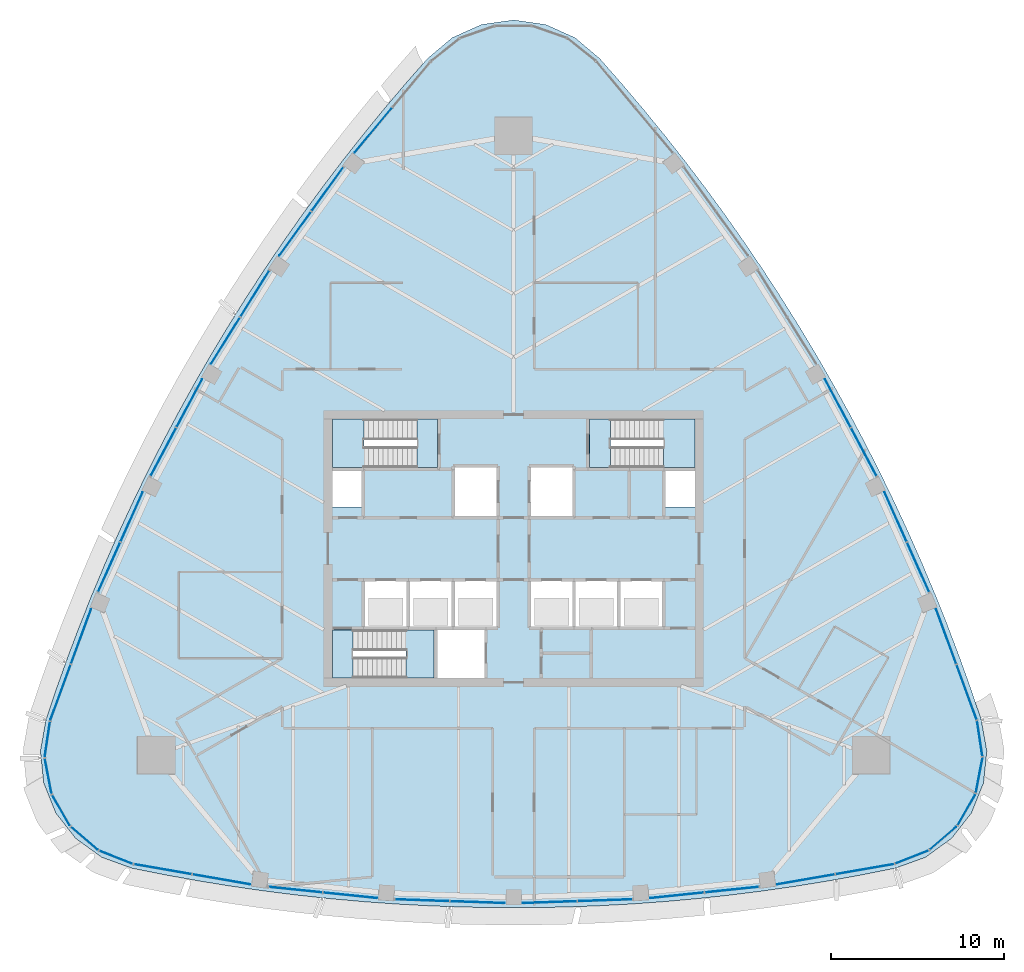
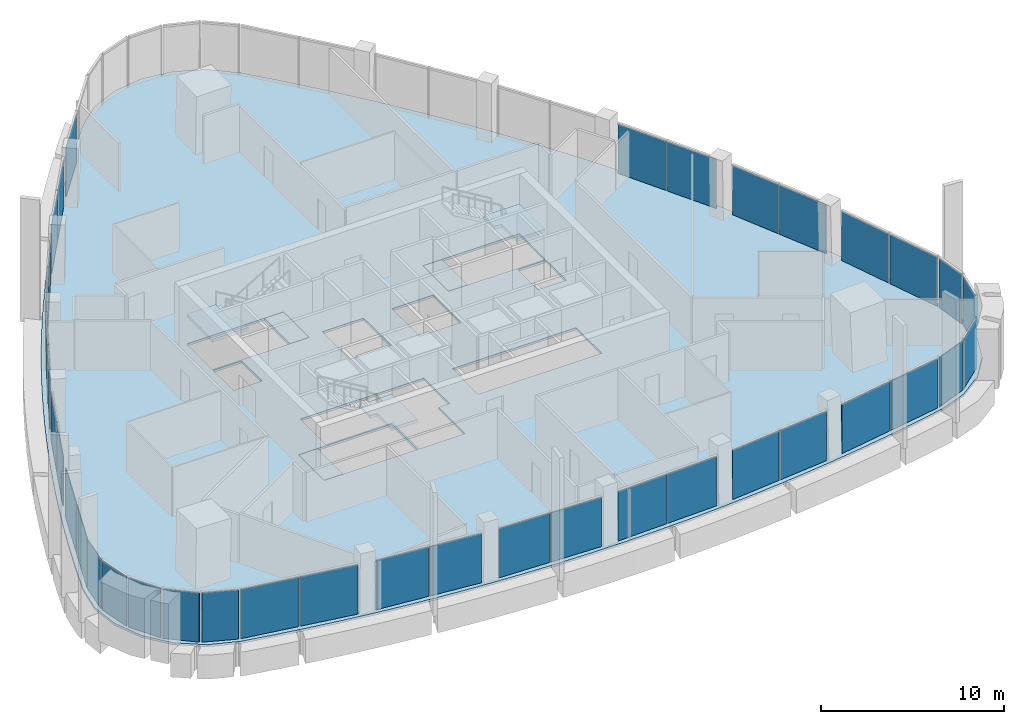
# One storey, part 7 of 18: 39 plates, 7 slabs, 28 elements without a shape of their own.
"""IFC4 building model written with IfcOpenShell, lengths in metres."""

from ifc_helpers import new_model, si_unit, direction, frame, origin, origin_2d, place, context, subcontext, project, spatial, polyline, rectangle, outline, extrude, material, layer, layer_set, type_object, element, aggregate, save


model = new_model("IFC4")

# Units and contexts
model_context = context("Model", 3, precision=1e-05, world=origin(), true_north=direction((0.0, 1.0)))
body_context = subcontext(model_context, "Body", "Model", "MODEL_VIEW")
ifc_project = project(units=[si_unit("LENGTHUNIT", "METRE"), si_unit("AREAUNIT", "SQUARE_METRE"), si_unit("VOLUMEUNIT", "CUBIC_METRE"), si_unit("PLANEANGLEUNIT", "RADIAN"), si_unit("MASSUNIT", "GRAM", prefix="KILO")], contexts=[model_context])

# Site, building, storey
site_placement = place(None, origin())
site = spatial("IfcSite", under=ifc_project, at=site_placement, CompositionType="ELEMENT")
building_placement = place(site_placement, origin())
building = spatial("IfcBuilding", under=site, at=building_placement, Name="Sierra Prisma Convention Tower", CompositionType="ELEMENT")
storey_placement = place(building_placement, frame((0.0, 0.0, 287.0)))
storey = spatial("IfcBuildingStorey", under=building, at=storey_placement, Name="L65", CompositionType="ELEMENT", Elevation=287.0)

# Curtain wall, plates
ifc_material_1 = material(Name="Aluminium and glass curtain wall", Category="aluminium")
ifc_layer_1 = layer(ifc_material_1, 0.179931640625)
ifc_layer_set_1 = layer_set([ifc_layer_1], Name="CW-1 Plain shaft curtain wall")
curtain_wall_type = type_object("IfcCurtainWallType", Name="CW-1 Plain shaft curtain wall", PredefinedType="NOTDEFINED", material=ifc_layer_set_1)
curtain_wall_1_placement = place(storey_placement, origin())
curtain_wall_1 = element("IfcCurtainWall", 1, at=curtain_wall_1_placement, inside=storey, type_object=curtain_wall_type, Name="CW-1 S1 L65", PredefinedType="NOTDEFINED")
ifc_material_2 = material(Name="Tinted glass bronze-grey IGU", Category="glass")
ifc_layer_2 = layer(ifc_material_2, 0.028076171875)
ifc_layer_set_2 = layer_set([ifc_layer_2], Name="CW-1 glass panel")
plate_type = type_object("IfcPlateType", Name="CW-1 glass panel", PredefinedType="CURTAIN_PANEL", material=ifc_layer_set_2)
plate_1_placement = place(storey_placement, frame((-20.322265625, -18.56982421875, 0.0), z_axis=(0.0, 0.0, 1.0), x_axis=(0.985250899992, -0.171115937493, 0.0)))
plate_1 = element("IfcPlate", 2, at=plate_1_placement, type_object=plate_type, Name="CW-1 panel S1.1", PredefinedType="CURTAIN_PANEL", context=body_context, shape_type="SweptSolid", body=[
    extrude(rectangle(XDim=3.370849609375, YDim=0.028076171875, at=origin_2d()), origin(), (0.0, 0.0, 1.0), 3.280029296875),
])
plate_2_placement = place(storey_placement, frame((-16.932373046875, -19.15869140625, 0.0), z_axis=(0.0, 0.0, 1.0), x_axis=(0.985250899992, -0.171115937493, 0.0)))
plate_2 = element("IfcPlate", 3, at=plate_2_placement, type_object=plate_type, Name="CW-1 panel S1.2", PredefinedType="CURTAIN_PANEL", context=body_context, shape_type="SweptSolid", body=[
    extrude(rectangle(XDim=3.370849609375, YDim=0.028076171875, at=origin_2d()), origin(), (0.0, 0.0, 1.0), 3.280029296875),
])
aggregate(curtain_wall_1, [plate_1, plate_2])

curtain_wall_2_placement = place(storey_placement, origin())
curtain_wall_2 = element("IfcCurtainWall", 4, at=curtain_wall_2_placement, inside=storey, type_object=curtain_wall_type, Name="CW-1 S2 L65", PredefinedType="NOTDEFINED")
plate_3_placement = place(storey_placement, frame((-12.64501953125, -19.7548828125, 0.0), z_axis=(0.0, 0.0, 1.0), x_axis=(0.994681940582, -0.1029943546, 0.0)))
plate_3 = element("IfcPlate", 5, at=plate_3_placement, type_object=plate_type, Name="CW-1 panel S2.1", PredefinedType="CURTAIN_PANEL", context=body_context, shape_type="SweptSolid", body=[
    extrude(rectangle(XDim=3.1240234375, YDim=0.028076171875, at=origin_2d()), origin(), (0.0, 0.0, 1.0), 3.280029296875),
])
plate_4_placement = place(storey_placement, frame((-9.468017578125, -20.083984375, 0.0), z_axis=(0.0, 0.0, 1.0), x_axis=(0.994681940582, -0.1029943546, 0.0)))
plate_4 = element("IfcPlate", 6, at=plate_4_placement, type_object=plate_type, Name="CW-1 panel S2.2", PredefinedType="CURTAIN_PANEL", context=body_context, shape_type="SweptSolid", body=[
    extrude(rectangle(XDim=3.1240234375, YDim=0.028076171875, at=origin_2d()), origin(), (0.0, 0.0, 1.0), 3.280029296875),
])
aggregate(curtain_wall_2, [plate_3, plate_4])

curtain_wall_3_placement = place(storey_placement, origin())
curtain_wall_3 = element("IfcCurtainWall", 7, at=curtain_wall_3_placement, inside=storey, type_object=curtain_wall_type, Name="CW-1 S3 L65", PredefinedType="NOTDEFINED")
plate_5_placement = place(storey_placement, frame((-5.29638671875, -20.37060546875, 0.0), z_axis=(0.0, 0.0, 1.0), x_axis=(0.999408638323, -0.034385660465, 0.0)))
plate_5 = element("IfcPlate", 8, at=plate_5_placement, type_object=plate_type, Name="CW-1 panel S3.1", PredefinedType="CURTAIN_PANEL", context=body_context, shape_type="SweptSolid", body=[
    extrude(rectangle(XDim=3.1396484375, YDim=0.028076171875, at=origin_2d()), origin(), (0.0, 0.0, 1.0), 3.280029296875),
])
plate_6_placement = place(storey_placement, frame((-2.088623046875, -20.48095703125, 0.0), z_axis=(0.0, 0.0, 1.0), x_axis=(0.999408638323, -0.034385660465, 0.0)))
plate_6 = element("IfcPlate", 9, at=plate_6_placement, type_object=plate_type, Name="CW-1 panel S3.2", PredefinedType="CURTAIN_PANEL", context=body_context, shape_type="SweptSolid", body=[
    extrude(rectangle(XDim=3.1396484375, YDim=0.028076171875, at=origin_2d()), origin(), (0.0, 0.0, 1.0), 3.280029296875),
])
aggregate(curtain_wall_3, [plate_5, plate_6])

curtain_wall_4_placement = place(storey_placement, origin())
curtain_wall_4 = element("IfcCurtainWall", 10, at=curtain_wall_4_placement, inside=storey, type_object=curtain_wall_type, Name="CW-1 S4 L65", PredefinedType="NOTDEFINED")
plate_7_placement = place(storey_placement, frame((2.088623046875, -20.48095703125, 0.0), z_axis=(0.0, 0.0, 1.0), x_axis=(0.999408638323, 0.034385660465, 0.0)))
plate_7 = element("IfcPlate", 11, at=plate_7_placement, type_object=plate_type, Name="CW-1 panel S4.1", PredefinedType="CURTAIN_PANEL", context=body_context, shape_type="SweptSolid", body=[
    extrude(rectangle(XDim=3.1396484375, YDim=0.028076171875, at=origin_2d()), origin(), (0.0, 0.0, 1.0), 3.280029296875),
])
plate_8_placement = place(storey_placement, frame((5.29638671875, -20.37060546875, 0.0), z_axis=(0.0, 0.0, 1.0), x_axis=(0.999408638323, 0.034385660465, 0.0)))
plate_8 = element("IfcPlate", 12, at=plate_8_placement, type_object=plate_type, Name="CW-1 panel S4.2", PredefinedType="CURTAIN_PANEL", context=body_context, shape_type="SweptSolid", body=[
    extrude(rectangle(XDim=3.1396484375, YDim=0.028076171875, at=origin_2d()), origin(), (0.0, 0.0, 1.0), 3.280029296875),
])
aggregate(curtain_wall_4, [plate_7, plate_8])

curtain_wall_5_placement = place(storey_placement, origin())
curtain_wall_5 = element("IfcCurtainWall", 13, at=curtain_wall_5_placement, inside=storey, type_object=curtain_wall_type, Name="CW-1 S5 L65", PredefinedType="NOTDEFINED")
plate_9_placement = place(storey_placement, frame((9.468017578125, -20.083984375, 0.0), z_axis=(0.0, 0.0, 1.0), x_axis=(0.994681940582, 0.1029943546, 0.0)))
plate_9 = element("IfcPlate", 14, at=plate_9_placement, type_object=plate_type, Name="CW-1 panel S5.1", PredefinedType="CURTAIN_PANEL", context=body_context, shape_type="SweptSolid", body=[
    extrude(rectangle(XDim=3.1240234375, YDim=0.028076171875, at=origin_2d()), origin(), (0.0, 0.0, 1.0), 3.280029296875),
])
plate_10_placement = place(storey_placement, frame((12.64501953125, -19.7548828125, 0.0), z_axis=(0.0, 0.0, 1.0), x_axis=(0.994681940582, 0.1029943546, 0.0)))
plate_10 = element("IfcPlate", 15, at=plate_10_placement, type_object=plate_type, Name="CW-1 panel S5.2", PredefinedType="CURTAIN_PANEL", context=body_context, shape_type="SweptSolid", body=[
    extrude(rectangle(XDim=3.1240234375, YDim=0.028076171875, at=origin_2d()), origin(), (0.0, 0.0, 1.0), 3.280029296875),
])
aggregate(curtain_wall_5, [plate_9, plate_10])

curtain_wall_6_placement = place(storey_placement, origin())
curtain_wall_6 = element("IfcCurtainWall", 16, at=curtain_wall_6_placement, inside=storey, type_object=curtain_wall_type, Name="CW-1 S6 L65", PredefinedType="NOTDEFINED")
plate_11_placement = place(storey_placement, frame((16.932373046875, -19.15869140625, 0.0), z_axis=(0.0, 0.0, 1.0), x_axis=(0.985250899992, 0.171115937493, 0.0)))
plate_11 = element("IfcPlate", 17, at=plate_11_placement, type_object=plate_type, Name="CW-1 panel S6.1", PredefinedType="CURTAIN_PANEL", context=body_context, shape_type="SweptSolid", body=[
    extrude(rectangle(XDim=3.370849609375, YDim=0.028076171875, at=origin_2d()), origin(), (0.0, 0.0, 1.0), 3.280029296875),
])
plate_12_placement = place(storey_placement, frame((20.322265625, -18.56982421875, 0.0), z_axis=(0.0, 0.0, 1.0), x_axis=(0.985250899992, 0.171115937493, 0.0)))
plate_12 = element("IfcPlate", 18, at=plate_12_placement, type_object=plate_type, Name="CW-1 panel S6.2", PredefinedType="CURTAIN_PANEL", context=body_context, shape_type="SweptSolid", body=[
    extrude(rectangle(XDim=3.370849609375, YDim=0.028076171875, at=origin_2d()), origin(), (0.0, 0.0, 1.0), 3.280029296875),
])
aggregate(curtain_wall_6, [plate_11, plate_12])

# Curtain wall, plate
curtain_wall_7_placement = place(storey_placement, origin())
curtain_wall_7 = element("IfcCurtainWall", 19, at=curtain_wall_7_placement, inside=storey, type_object=curtain_wall_type, Name="CW-1 SE1 L65", PredefinedType="NOTDEFINED")
plate_13_placement = place(storey_placement, frame((23.054443359375, -17.87548828125, 0.0), z_axis=(0.0, 0.0, 1.0), x_axis=(0.930682146409, 0.365828842978, 0.0)))
plate_13 = element("IfcPlate", 20, at=plate_13_placement, type_object=plate_type, Name="CW-1 panel SE1.1", PredefinedType="CURTAIN_PANEL", context=body_context, shape_type="SweptSolid", body=[
    extrude(rectangle(XDim=2.014404296875, YDim=0.028076171875, at=origin_2d()), origin(), (0.0, 0.0, 1.0), 3.280029296875),
])
aggregate(curtain_wall_7, [plate_13])

curtain_wall_8_placement = place(storey_placement, origin())
curtain_wall_8 = element("IfcCurtainWall", 21, at=curtain_wall_8_placement, inside=storey, type_object=curtain_wall_type, Name="CW-1 SE2 L65", PredefinedType="NOTDEFINED")
plate_14_placement = place(storey_placement, frame((24.873291015625, -16.778564453125, 0.0), z_axis=(0.0, 0.0, 1.0), x_axis=(0.75780076595, 0.652486014506, 0.0)))
plate_14 = element("IfcPlate", 22, at=plate_14_placement, type_object=plate_type, Name="CW-1 panel SE2.1", PredefinedType="CURTAIN_PANEL", context=body_context, shape_type="SweptSolid", body=[
    extrude(rectangle(XDim=2.014404296875, YDim=0.028076171875, at=origin_2d()), origin(), (0.0, 0.0, 1.0), 3.280029296875),
])
aggregate(curtain_wall_8, [plate_14])

curtain_wall_9_placement = place(storey_placement, origin())
curtain_wall_9 = element("IfcCurtainWall", 23, at=curtain_wall_9_placement, inside=storey, type_object=curtain_wall_type, Name="CW-1 SE3 L65", PredefinedType="NOTDEFINED")
plate_15_placement = place(storey_placement, frame((26.22802734375, -15.142822265625, 0.0), z_axis=(0.0, 0.0, 1.0), x_axis=(0.5, 0.866025403784, 0.0)))
plate_15 = element("IfcPlate", 24, at=plate_15_placement, type_object=plate_type, Name="CW-1 panel SE3.1", PredefinedType="CURTAIN_PANEL", context=body_context, shape_type="SweptSolid", body=[
    extrude(rectangle(XDim=2.014404296875, YDim=0.028076171875, at=origin_2d()), origin(), (0.0, 0.0, 1.0), 3.280029296875),
])
aggregate(curtain_wall_9, [plate_15])

curtain_wall_10_placement = place(storey_placement, origin())
curtain_wall_10 = element("IfcCurtainWall", 25, at=curtain_wall_10_placement, inside=storey, type_object=curtain_wall_type, Name="CW-1 SE4 L65", PredefinedType="NOTDEFINED")
plate_16_placement = place(storey_placement, frame((26.96728515625, -13.151611328125, 0.0), z_axis=(0.0, 0.0, 1.0), x_axis=(0.186169081201, 0.982517721573, 0.0)))
plate_16 = element("IfcPlate", 26, at=plate_16_placement, type_object=plate_type, Name="CW-1 panel SE4.1", PredefinedType="CURTAIN_PANEL", context=body_context, shape_type="SweptSolid", body=[
    extrude(rectangle(XDim=2.014404296875, YDim=0.028076171875, at=origin_2d()), origin(), (0.0, 0.0, 1.0), 3.280029296875),
])
aggregate(curtain_wall_10, [plate_16])

curtain_wall_11_placement = place(storey_placement, origin())
curtain_wall_11 = element("IfcCurtainWall", 27, at=curtain_wall_11_placement, inside=storey, type_object=curtain_wall_type, Name="CW-1 SE5 L65", PredefinedType="NOTDEFINED")
plate_17_placement = place(storey_placement, frame((27.0078125, -11.02783203125, 0.0), z_axis=(0.0, 0.0, 1.0), x_axis=(-0.148524001749, 0.988908803128, 0.0)))
plate_17 = element("IfcPlate", 28, at=plate_17_placement, type_object=plate_type, Name="CW-1 panel SE5.1", PredefinedType="CURTAIN_PANEL", context=body_context, shape_type="SweptSolid", body=[
    extrude(rectangle(XDim=2.014404296875, YDim=0.028076171875, at=origin_2d()), origin(), (0.0, 0.0, 1.0), 3.280029296875),
])
aggregate(curtain_wall_11, [plate_17])

# Curtain wall, plates
curtain_wall_12_placement = place(storey_placement, origin())
curtain_wall_12 = element("IfcCurtainWall", 29, at=curtain_wall_12_placement, inside=storey, type_object=curtain_wall_type, Name="CW-1 NE1 L65", PredefinedType="NOTDEFINED")
plate_18_placement = place(storey_placement, frame((26.2431640625, -8.314697265625, 0.0), z_axis=(0.0, 0.0, 1.0), x_axis=(-0.344434701135, 0.938810277241, 0.0)))
plate_18 = element("IfcPlate", 30, at=plate_18_placement, type_object=plate_type, Name="CW-1 panel NE1.1", PredefinedType="CURTAIN_PANEL", context=body_context, shape_type="SweptSolid", body=[
    extrude(rectangle(XDim=3.370849609375, YDim=0.028076171875, at=origin_2d()), origin(), (0.0, 0.0, 1.0), 3.280029296875),
])
plate_19_placement = place(storey_placement, frame((25.05810546875, -5.08447265625, 0.0), z_axis=(0.0, 0.0, 1.0), x_axis=(-0.344434701135, 0.938810277241, 0.0)))
plate_19 = element("IfcPlate", 31, at=plate_19_placement, type_object=plate_type, Name="CW-1 panel NE1.2", PredefinedType="CURTAIN_PANEL", context=body_context, shape_type="SweptSolid", body=[
    extrude(rectangle(XDim=3.370849609375, YDim=0.028076171875, at=origin_2d()), origin(), (0.0, 0.0, 1.0), 3.280029296875),
])
aggregate(curtain_wall_12, [plate_18, plate_19])

curtain_wall_13_placement = place(storey_placement, origin())
curtain_wall_13 = element("IfcCurtainWall", 32, at=curtain_wall_13_placement, inside=storey, type_object=curtain_wall_type, Name="CW-1 NE2 L65", PredefinedType="NOTDEFINED")
plate_20_placement = place(storey_placement, frame((23.430908203125, -1.073486328125, 0.0), z_axis=(0.0, 0.0, 1.0), x_axis=(-0.408145242761, 0.91291700653, 0.0)))
plate_20 = element("IfcPlate", 33, at=plate_20_placement, type_object=plate_type, Name="CW-1 panel NE2.1", PredefinedType="CURTAIN_PANEL", context=body_context, shape_type="SweptSolid", body=[
    extrude(rectangle(XDim=3.1240234375, YDim=0.028076171875, at=origin_2d()), origin(), (0.0, 0.0, 1.0), 3.280029296875),
])
plate_21_placement = place(storey_placement, frame((22.127197265625, 1.84228515625, 0.0), z_axis=(0.0, 0.0, 1.0), x_axis=(-0.408145242761, 0.91291700653, 0.0)))
plate_21 = element("IfcPlate", 34, at=plate_21_placement, type_object=plate_type, Name="CW-1 panel NE2.2", PredefinedType="CURTAIN_PANEL", context=body_context, shape_type="SweptSolid", body=[
    extrude(rectangle(XDim=3.1240234375, YDim=0.028076171875, at=origin_2d()), origin(), (0.0, 0.0, 1.0), 3.280029296875),
])
aggregate(curtain_wall_13, [plate_20, plate_21])

curtain_wall_14_placement = place(storey_placement, origin())
curtain_wall_14 = element("IfcCurtainWall", 35, at=curtain_wall_14_placement, inside=storey, type_object=curtain_wall_type, Name="CW-1 NE3 L65", PredefinedType="NOTDEFINED")
plate_22_placement = place(storey_placement, frame((20.289794921875, 5.598388671875, 0.0), z_axis=(0.0, 0.0, 1.0), x_axis=(-0.469925463673, 0.882706099782, 0.0)))
plate_22 = element("IfcPlate", 36, at=plate_22_placement, type_object=plate_type, Name="CW-1 panel NE3.1", PredefinedType="CURTAIN_PANEL", context=body_context, shape_type="SweptSolid", body=[
    extrude(rectangle(XDim=3.139892578125, YDim=0.028076171875, at=origin_2d()), origin(), (0.0, 0.0, 1.0), 3.280029296875),
])
plate_23_placement = place(storey_placement, frame((18.781494140625, 8.431640625, 0.0), z_axis=(0.0, 0.0, 1.0), x_axis=(-0.469925463673, 0.882706099782, 0.0)))
plate_23 = element("IfcPlate", 37, at=plate_23_placement, type_object=plate_type, Name="CW-1 panel NE3.2", PredefinedType="CURTAIN_PANEL", context=body_context, shape_type="SweptSolid", body=[
    extrude(rectangle(XDim=3.139892578125, YDim=0.028076171875, at=origin_2d()), origin(), (0.0, 0.0, 1.0), 3.280029296875),
])
aggregate(curtain_wall_14, [plate_22, plate_23])

# Curtain wall, plate
curtain_wall_15_placement = place(storey_placement, origin())
curtain_wall_15 = element("IfcCurtainWall", 38, at=curtain_wall_15_placement, inside=storey, type_object=curtain_wall_type, Name="CW-1 NW1 L65", PredefinedType="NOTDEFINED")
plate_24_placement = place(storey_placement, frame((-8.125732421875, 24.2431640625, 0.0), z_axis=(0.0, 0.0, 1.0), x_axis=(-0.640816198857, -0.767694339749, 0.0)))
plate_24 = element("IfcPlate", 39, at=plate_24_placement, type_object=plate_type, Name="CW-1 panel NW1.2", PredefinedType="CURTAIN_PANEL", context=body_context, shape_type="SweptSolid", body=[
    extrude(rectangle(XDim=3.370849609375, YDim=0.028076171875, at=origin_2d()), origin(), (0.0, 0.0, 1.0), 3.280029296875),
])
aggregate(curtain_wall_15, [plate_24])

# Curtain wall, plates
curtain_wall_16_placement = place(storey_placement, origin())
curtain_wall_16 = element("IfcCurtainWall", 40, at=curtain_wall_16_placement, inside=storey, type_object=curtain_wall_type, Name="CW-1 NW2 L65", PredefinedType="NOTDEFINED")
plate_25_placement = place(storey_placement, frame((-10.785888671875, 20.828369140625, 0.0), z_axis=(0.0, 0.0, 1.0), x_axis=(-0.586536697821, -0.80992265193, 0.0)))
plate_25 = element("IfcPlate", 41, at=plate_25_placement, type_object=plate_type, Name="CW-1 panel NW2.1", PredefinedType="CURTAIN_PANEL", context=body_context, shape_type="SweptSolid", body=[
    extrude(rectangle(XDim=3.1240234375, YDim=0.028076171875, at=origin_2d()), origin(), (0.0, 0.0, 1.0), 3.280029296875),
])
plate_26_placement = place(storey_placement, frame((-12.6591796875, 18.241455078125, 0.0), z_axis=(0.0, 0.0, 1.0), x_axis=(-0.586536697821, -0.80992265193, 0.0)))
plate_26 = element("IfcPlate", 42, at=plate_26_placement, type_object=plate_type, Name="CW-1 panel NW2.2", PredefinedType="CURTAIN_PANEL", context=body_context, shape_type="SweptSolid", body=[
    extrude(rectangle(XDim=3.1240234375, YDim=0.028076171875, at=origin_2d()), origin(), (0.0, 0.0, 1.0), 3.280029296875),
])
aggregate(curtain_wall_16, [plate_25, plate_26])

curtain_wall_17_placement = place(storey_placement, origin())
curtain_wall_17 = element("IfcCurtainWall", 43, at=curtain_wall_17_placement, inside=storey, type_object=curtain_wall_type, Name="CW-1 NW3 L65", PredefinedType="NOTDEFINED")
plate_27_placement = place(storey_placement, frame((-14.9931640625, 14.772216796875, 0.0), z_axis=(0.0, 0.0, 1.0), x_axis=(-0.52948317465, -0.848320439317, 0.0)))
plate_27 = element("IfcPlate", 44, at=plate_27_placement, type_object=plate_type, Name="CW-1 panel NW3.1", PredefinedType="CURTAIN_PANEL", context=body_context, shape_type="SweptSolid", body=[
    extrude(rectangle(XDim=3.1396484375, YDim=0.028076171875, at=origin_2d()), origin(), (0.0, 0.0, 1.0), 3.280029296875),
])
plate_28_placement = place(storey_placement, frame((-16.692626953125, 12.04931640625, 0.0), z_axis=(0.0, 0.0, 1.0), x_axis=(-0.52948317465, -0.848320439317, 0.0)))
plate_28 = element("IfcPlate", 45, at=plate_28_placement, type_object=plate_type, Name="CW-1 panel NW3.2", PredefinedType="CURTAIN_PANEL", context=body_context, shape_type="SweptSolid", body=[
    extrude(rectangle(XDim=3.1396484375, YDim=0.028076171875, at=origin_2d()), origin(), (0.0, 0.0, 1.0), 3.280029296875),
])
aggregate(curtain_wall_17, [plate_27, plate_28])

curtain_wall_18_placement = place(storey_placement, origin())
curtain_wall_18 = element("IfcCurtainWall", 46, at=curtain_wall_18_placement, inside=storey, type_object=curtain_wall_type, Name="CW-1 NW4 L65", PredefinedType="NOTDEFINED")
plate_29_placement = place(storey_placement, frame((-18.781494140625, 8.431640625, 0.0), z_axis=(0.0, 0.0, 1.0), x_axis=(-0.469925463673, -0.882706099782, 0.0)))
plate_29 = element("IfcPlate", 47, at=plate_29_placement, type_object=plate_type, Name="CW-1 panel NW4.1", PredefinedType="CURTAIN_PANEL", context=body_context, shape_type="SweptSolid", body=[
    extrude(rectangle(XDim=3.1396484375, YDim=0.028076171875, at=origin_2d()), origin(), (0.0, 0.0, 1.0), 3.280029296875),
])
plate_30_placement = place(storey_placement, frame((-20.289794921875, 5.598388671875, 0.0), z_axis=(0.0, 0.0, 1.0), x_axis=(-0.469925463673, -0.882706099782, 0.0)))
plate_30 = element("IfcPlate", 48, at=plate_30_placement, type_object=plate_type, Name="CW-1 panel NW4.2", PredefinedType="CURTAIN_PANEL", context=body_context, shape_type="SweptSolid", body=[
    extrude(rectangle(XDim=3.1396484375, YDim=0.028076171875, at=origin_2d()), origin(), (0.0, 0.0, 1.0), 3.280029296875),
])
aggregate(curtain_wall_18, [plate_29, plate_30])

curtain_wall_19_placement = place(storey_placement, origin())
curtain_wall_19 = element("IfcCurtainWall", 49, at=curtain_wall_19_placement, inside=storey, type_object=curtain_wall_type, Name="CW-1 NW5 L65", PredefinedType="NOTDEFINED")
plate_31_placement = place(storey_placement, frame((-22.127197265625, 1.84228515625, 0.0), z_axis=(0.0, 0.0, 1.0), x_axis=(-0.408145242761, -0.91291700653, 0.0)))
plate_31 = element("IfcPlate", 50, at=plate_31_placement, type_object=plate_type, Name="CW-1 panel NW5.1", PredefinedType="CURTAIN_PANEL", context=body_context, shape_type="SweptSolid", body=[
    extrude(rectangle(XDim=3.1240234375, YDim=0.028076171875, at=origin_2d()), origin(), (0.0, 0.0, 1.0), 3.280029296875),
])
plate_32_placement = place(storey_placement, frame((-23.430908203125, -1.073486328125, 0.0), z_axis=(0.0, 0.0, 1.0), x_axis=(-0.408145242761, -0.91291700653, 0.0)))
plate_32 = element("IfcPlate", 51, at=plate_32_placement, type_object=plate_type, Name="CW-1 panel NW5.2", PredefinedType="CURTAIN_PANEL", context=body_context, shape_type="SweptSolid", body=[
    extrude(rectangle(XDim=3.1240234375, YDim=0.028076171875, at=origin_2d()), origin(), (0.0, 0.0, 1.0), 3.280029296875),
])
aggregate(curtain_wall_19, [plate_31, plate_32])

curtain_wall_20_placement = place(storey_placement, origin())
curtain_wall_20 = element("IfcCurtainWall", 52, at=curtain_wall_20_placement, inside=storey, type_object=curtain_wall_type, Name="CW-1 NW6 L65", PredefinedType="NOTDEFINED")
plate_33_placement = place(storey_placement, frame((-25.05810546875, -5.08447265625, 0.0), z_axis=(0.0, 0.0, 1.0), x_axis=(-0.344434701135, -0.938810277241, 0.0)))
plate_33 = element("IfcPlate", 53, at=plate_33_placement, type_object=plate_type, Name="CW-1 panel NW6.1", PredefinedType="CURTAIN_PANEL", context=body_context, shape_type="SweptSolid", body=[
    extrude(rectangle(XDim=3.370849609375, YDim=0.028076171875, at=origin_2d()), origin(), (0.0, 0.0, 1.0), 3.280029296875),
])
plate_34_placement = place(storey_placement, frame((-26.2431640625, -8.314697265625, 0.0), z_axis=(0.0, 0.0, 1.0), x_axis=(-0.344434701135, -0.938810277241, 0.0)))
plate_34 = element("IfcPlate", 54, at=plate_34_placement, type_object=plate_type, Name="CW-1 panel NW6.2", PredefinedType="CURTAIN_PANEL", context=body_context, shape_type="SweptSolid", body=[
    extrude(rectangle(XDim=3.370849609375, YDim=0.028076171875, at=origin_2d()), origin(), (0.0, 0.0, 1.0), 3.280029296875),
])
aggregate(curtain_wall_20, [plate_33, plate_34])

# Curtain wall, plate
curtain_wall_21_placement = place(storey_placement, origin())
curtain_wall_21 = element("IfcCurtainWall", 55, at=curtain_wall_21_placement, inside=storey, type_object=curtain_wall_type, Name="CW-1 SW1 L65", PredefinedType="NOTDEFINED")
plate_35_placement = place(storey_placement, frame((-27.0078125, -11.02783203125, 0.0), z_axis=(0.0, 0.0, 1.0), x_axis=(-0.148524001749, -0.988908803128, 0.0)))
plate_35 = element("IfcPlate", 56, at=plate_35_placement, type_object=plate_type, Name="CW-1 panel SW1.1", PredefinedType="CURTAIN_PANEL", context=body_context, shape_type="SweptSolid", body=[
    extrude(rectangle(XDim=2.014404296875, YDim=0.028076171875, at=origin_2d()), origin(), (0.0, 0.0, 1.0), 3.280029296875),
])
aggregate(curtain_wall_21, [plate_35])

curtain_wall_22_placement = place(storey_placement, origin())
curtain_wall_22 = element("IfcCurtainWall", 57, at=curtain_wall_22_placement, inside=storey, type_object=curtain_wall_type, Name="CW-1 SW2 L65", PredefinedType="NOTDEFINED")
plate_36_placement = place(storey_placement, frame((-26.96728515625, -13.151611328125, 0.0), z_axis=(0.0, 0.0, 1.0), x_axis=(0.186169081201, -0.982517721573, 0.0)))
plate_36 = element("IfcPlate", 58, at=plate_36_placement, type_object=plate_type, Name="CW-1 panel SW2.1", PredefinedType="CURTAIN_PANEL", context=body_context, shape_type="SweptSolid", body=[
    extrude(rectangle(XDim=2.014404296875, YDim=0.028076171875, at=origin_2d()), origin(), (0.0, 0.0, 1.0), 3.280029296875),
])
aggregate(curtain_wall_22, [plate_36])

curtain_wall_23_placement = place(storey_placement, origin())
curtain_wall_23 = element("IfcCurtainWall", 59, at=curtain_wall_23_placement, inside=storey, type_object=curtain_wall_type, Name="CW-1 SW3 L65", PredefinedType="NOTDEFINED")
plate_37_placement = place(storey_placement, frame((-26.22802734375, -15.142822265625, 0.0), z_axis=(0.0, 0.0, 1.0), x_axis=(0.5, -0.866025403784, 0.0)))
plate_37 = element("IfcPlate", 60, at=plate_37_placement, type_object=plate_type, Name="CW-1 panel SW3.1", PredefinedType="CURTAIN_PANEL", context=body_context, shape_type="SweptSolid", body=[
    extrude(rectangle(XDim=2.014404296875, YDim=0.028076171875, at=origin_2d()), origin(), (0.0, 0.0, 1.0), 3.280029296875),
])
aggregate(curtain_wall_23, [plate_37])

curtain_wall_24_placement = place(storey_placement, origin())
curtain_wall_24 = element("IfcCurtainWall", 61, at=curtain_wall_24_placement, inside=storey, type_object=curtain_wall_type, Name="CW-1 SW4 L65", PredefinedType="NOTDEFINED")
plate_38_placement = place(storey_placement, frame((-24.873291015625, -16.778564453125, 0.0), z_axis=(0.0, 0.0, 1.0), x_axis=(0.75780076595, -0.652486014506, 0.0)))
plate_38 = element("IfcPlate", 62, at=plate_38_placement, type_object=plate_type, Name="CW-1 panel SW4.1", PredefinedType="CURTAIN_PANEL", context=body_context, shape_type="SweptSolid", body=[
    extrude(rectangle(XDim=2.014404296875, YDim=0.028076171875, at=origin_2d()), origin(), (0.0, 0.0, 1.0), 3.280029296875),
])
aggregate(curtain_wall_24, [plate_38])

curtain_wall_25_placement = place(storey_placement, origin())
curtain_wall_25 = element("IfcCurtainWall", 63, at=curtain_wall_25_placement, inside=storey, type_object=curtain_wall_type, Name="CW-1 SW5 L65", PredefinedType="NOTDEFINED")
plate_39_placement = place(storey_placement, frame((-23.054443359375, -17.87548828125, 0.0), z_axis=(0.0, 0.0, 1.0), x_axis=(0.930682146409, -0.365828842978, 0.0)))
plate_39 = element("IfcPlate", 64, at=plate_39_placement, type_object=plate_type, Name="CW-1 panel SW5.1", PredefinedType="CURTAIN_PANEL", context=body_context, shape_type="SweptSolid", body=[
    extrude(rectangle(XDim=2.014404296875, YDim=0.028076171875, at=origin_2d()), origin(), (0.0, 0.0, 1.0), 3.280029296875),
])
aggregate(curtain_wall_25, [plate_39])

# Slab
ifc_material_3 = material(Name="Concrete C35/45", Category="concrete")
ifc_layer_3 = layer(ifc_material_3, 0.14990234375)
ifc_layer_set_3 = layer_set([ifc_layer_3], Name="Composite floor slab 150")
slab_type_1 = type_object("IfcSlabType", Name="Composite floor slab 150", PredefinedType="FLOOR", material=ifc_layer_set_3)
slab_1_placement = place(storey_placement, frame((0.0, 0.0, -0.14990234375)))
element("IfcSlab", 65, at=slab_1_placement, inside=storey, type_object=slab_type_1, Name="Floor slab L65 floor", PredefinedType="FLOOR", context=body_context, shape_type="SweptSolid", body=[
    extrude(outline(polyline([(-22.10302734375, -18.51416015625), (-20.205078125, -18.893798828125), (-18.30029296875, -19.2392578125), (-16.389892578125, -19.550537109375), (-14.47412109375, -19.827392578125), (-12.5537109375, -20.06982421875), (-10.629150390625, -20.27783203125), (-8.701171875, -20.451416015625), (-6.7705078125, -20.590087890625), (-4.837646484375, -20.6943359375), (-2.9033203125, -20.763671875), (-0.9677734375, -20.798583984375), (0.9677734375, -20.798583984375), (2.9033203125, -20.763671875), (4.837646484375, -20.6943359375), (6.7705078125, -20.590087890625), (8.701171875, -20.451416015625), (10.629150390625, -20.27783203125), (12.5537109375, -20.06982421875), (14.47412109375, -19.827392578125), (16.389892578125, -19.550537109375), (18.30029296875, -19.2392578125), (20.205078125, -18.893798828125), (22.10302734375, -18.51416015625), (23.85986328125, -17.8798828125), (25.37255859375, -16.784423828125), (26.523193359375, -15.313232421875), (27.221923828125, -13.5810546875), (27.414306640625, -11.72314453125), (27.085205078125, -9.884765625), (26.465087890625, -8.051025390625), (25.811767578125, -6.22900390625), (25.126220703125, -4.418701171875), (24.408203125, -2.62109375), (23.657958984375, -0.8369140625), (22.875732421875, 0.933837890625), (22.06201171875, 2.690185546875), (21.216796875, 4.431640625), (20.340576171875, 6.15771484375), (19.43359375, 7.86767578125), (18.495849609375, 9.56103515625), (17.528076171875, 11.237548828125), (16.5302734375, 12.896240234375), (15.5029296875, 14.53662109375), (14.4462890625, 16.158447265625), (13.36083984375, 17.76123046875), (12.24658203125, 19.343994140625), (11.104248046875, 20.90673828125), (9.93408203125, 22.44873046875), (8.736328125, 23.96923828125), (7.511474609375, 25.46826171875), (6.260009765625, 26.94482421875), (4.982177734375, 28.39892578125), (3.554443359375, 29.603271484375), (1.849365234375, 30.365478515625), (0.0, 30.62646484375), (-1.849365234375, 30.365478515625), (-3.554443359375, 29.603271484375), (-4.982177734375, 28.39892578125), (-6.260009765625, 26.94482421875), (-7.511474609375, 25.46826171875), (-8.736328125, 23.96923828125), (-9.93408203125, 22.44873046875), (-11.104248046875, 20.90673828125), (-12.24658203125, 19.343994140625), (-13.36083984375, 17.76123046875), (-14.4462890625, 16.158447265625), (-15.5029296875, 14.53662109375), (-16.5302734375, 12.896240234375), (-17.528076171875, 11.237548828125), (-18.495849609375, 9.56103515625), (-19.43359375, 7.86767578125), (-20.340576171875, 6.15771484375), (-21.216796875, 4.431640625), (-22.06201171875, 2.690185546875), (-22.875732421875, 0.933837890625), (-23.657958984375, -0.8369140625), (-24.408203125, -2.62109375), (-25.126220703125, -4.418701171875), (-25.811767578125, -6.22900390625), (-26.465087890625, -8.051025390625), (-27.085205078125, -9.884765625), (-27.414306640625, -11.72314453125), (-27.221923828125, -13.5810546875), (-26.523193359375, -15.313232421875), (-25.37255859375, -16.784423828125), (-23.85986328125, -17.8798828125), (-22.10302734375, -18.51416015625)]), holes=[polyline([(-4.60009765625, -4.699951171875), (-4.60009765625, -7.5), (-10.5, -7.5), (-10.5, -4.699951171875), (-4.60009765625, -4.699951171875)]), polyline([(-4.5, -7.5), (-4.5, -4.60009765625), (-6.10009765625, -4.60009765625), (-8.699951171875, -4.60009765625), (-8.699951171875, -1.800048828125), (-6.10009765625, -1.800048828125), (-3.5, -1.800048828125), (-0.89990234375, -1.800048828125), (-0.89990234375, -4.60009765625), (-1.60009765625, -4.60009765625), (-1.60009765625, -7.5), (-4.5, -7.5)]), polyline([(-8.699951171875, 2.39990234375), (-10.5, 2.39990234375), (-10.5, 4.60009765625), (-8.699951171875, 4.60009765625), (-8.699951171875, 2.39990234375)]), polyline([(-4.39990234375, 4.699951171875), (-10.5, 4.699951171875), (-10.5, 7.5), (-4.39990234375, 7.5), (-4.39990234375, 4.699951171875)]), polyline([(3.5, -1.800048828125), (6.10009765625, -1.800048828125), (8.699951171875, -1.800048828125), (8.699951171875, -4.60009765625), (6.10009765625, -4.60009765625), (3.5, -4.60009765625), (0.89990234375, -4.60009765625), (0.89990234375, -1.800048828125), (3.5, -1.800048828125)]), polyline([(-0.89990234375, 1.800048828125), (-3.5, 1.800048828125), (-3.5, 4.800048828125), (-0.89990234375, 4.800048828125), (-0.89990234375, 1.800048828125)]), polyline([(3.5, 1.800048828125), (0.89990234375, 1.800048828125), (0.89990234375, 4.800048828125), (3.5, 4.800048828125), (3.5, 1.800048828125)]), polyline([(10.5, 2.39990234375), (8.699951171875, 2.39990234375), (8.699951171875, 4.60009765625), (10.5, 4.60009765625), (10.5, 2.39990234375)]), polyline([(10.5, 4.699951171875), (4.39990234375, 4.699951171875), (4.39990234375, 7.5), (10.5, 7.5), (10.5, 4.699951171875)])]), origin(), (0.0, 0.0, 1.0), 0.14990234375),
])

# Stair, slab
ifc_material_4 = material(Name="Concrete C30/37", Category="concrete")
stair_type = type_object("IfcStairType", Name="Stair dog-leg 1200 RC", PredefinedType="HALF_TURN_STAIR", material=ifc_material_4)
stair_1_placement = place(storey_placement, origin())
stair_1 = element("IfcStair", 66, at=stair_1_placement, inside=storey, type_object=stair_type, Name="L65 S1", PredefinedType="HALF_TURN_STAIR")
ifc_material_5 = material(Name="Concrete C35/45", Category="concrete")
ifc_layer_4 = layer(ifc_material_5, 0.199951171875)
ifc_layer_set_4 = layer_set([ifc_layer_4], Name="Stair landing slab")
slab_type_2 = type_object("IfcSlabType", Name="Stair landing slab", PredefinedType="LANDING", material=ifc_layer_set_4)
slab_2_placement = place(storey_placement, frame((0.0, 0.0, 1.800048828125)))
slab_2 = element("IfcSlab", 67, at=slab_2_placement, type_object=slab_type_2, Name="S1 landing 1", PredefinedType="LANDING", context=body_context, shape_type="SweptSolid", body=[
    extrude(outline(polyline([(-4.60009765625, -4.699951171875), (-4.60009765625, -7.5), (-6.221923828125, -7.5), (-6.221923828125, -5.89990234375), (-6.669921875, -5.89990234375), (-6.669921875, -4.699951171875), (-4.60009765625, -4.699951171875)])), origin(), (0.0, 0.0, 1.0), 0.199951171875),
])
aggregate(stair_1, [slab_2])

# Slab
slab_3_placement = place(storey_placement, frame((0.0, 0.0, -0.199951171875)))
element("IfcSlab", 68, at=slab_3_placement, inside=storey, type_object=slab_type_2, Name="S1 floor landing L65", PredefinedType="LANDING", context=body_context, shape_type="SweptSolid", body=[
    extrude(outline(polyline([(-10.5, -7.5), (-9.298095703125, -7.5), (-9.298095703125, -4.699951171875), (-10.5, -4.699951171875), (-10.5, -7.5)])), origin(), (0.0, 0.0, 1.0), 0.199951171875),
])

# Stair, slab
stair_2_placement = place(storey_placement, origin())
stair_2 = element("IfcStair", 69, at=stair_2_placement, inside=storey, type_object=stair_type, Name="L65 S3", PredefinedType="HALF_TURN_STAIR")
slab_4_placement = place(storey_placement, frame((0.0, 0.0, 1.800048828125)))
slab_4 = element("IfcSlab", 70, at=slab_4_placement, type_object=slab_type_2, Name="S3 landing 1", PredefinedType="LANDING", context=body_context, shape_type="SweptSolid", body=[
    extrude(outline(polyline([(-8.22998046875, 5.89990234375), (-8.22998046875, 4.699951171875), (-10.5, 4.699951171875), (-10.5, 7.5), (-8.677978515625, 7.5), (-8.677978515625, 5.89990234375), (-8.22998046875, 5.89990234375)])), origin(), (0.0, 0.0, 1.0), 0.199951171875),
])
aggregate(stair_2, [slab_4])

# Slab
slab_5_placement = place(storey_placement, frame((0.0, 0.0, -0.199951171875)))
element("IfcSlab", 71, at=slab_5_placement, inside=storey, type_object=slab_type_2, Name="S3 floor landing L65", PredefinedType="LANDING", context=body_context, shape_type="SweptSolid", body=[
    extrude(outline(polyline([(-4.39990234375, 7.5), (-5.60205078125, 7.5), (-5.60205078125, 4.699951171875), (-4.39990234375, 4.699951171875), (-4.39990234375, 7.5)])), origin(), (0.0, 0.0, 1.0), 0.199951171875),
])

# Stair, slab
stair_3_placement = place(storey_placement, origin())
stair_3 = element("IfcStair", 72, at=stair_3_placement, inside=storey, type_object=stair_type, Name="L65 S4", PredefinedType="HALF_TURN_STAIR")
slab_6_placement = place(storey_placement, frame((0.0, 0.0, 1.800048828125)))
slab_6 = element("IfcSlab", 73, at=slab_6_placement, type_object=slab_type_2, Name="S4 landing 1", PredefinedType="LANDING", context=body_context, shape_type="SweptSolid", body=[
    extrude(outline(polyline([(10.5, 7.5), (10.5, 4.699951171875), (8.677978515625, 4.699951171875), (8.677978515625, 6.300048828125), (8.22998046875, 6.300048828125), (8.22998046875, 7.5), (10.5, 7.5)])), origin(), (0.0, 0.0, 1.0), 0.199951171875),
])
aggregate(stair_3, [slab_6])

# Slab
slab_7_placement = place(storey_placement, frame((0.0, 0.0, -0.199951171875)))
element("IfcSlab", 74, at=slab_7_placement, inside=storey, type_object=slab_type_2, Name="S4 floor landing L65", PredefinedType="LANDING", context=body_context, shape_type="SweptSolid", body=[
    extrude(outline(polyline([(4.39990234375, 4.699951171875), (5.60205078125, 4.699951171875), (5.60205078125, 7.5), (4.39990234375, 7.5), (4.39990234375, 4.699951171875)])), origin(), (0.0, 0.0, 1.0), 0.199951171875),
])

save(model, "model.ifc")
